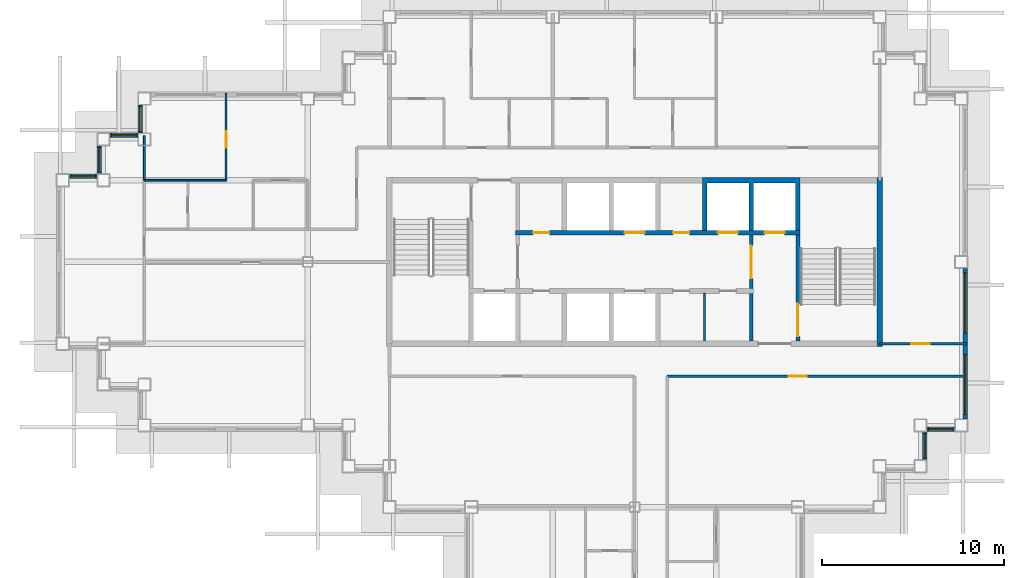
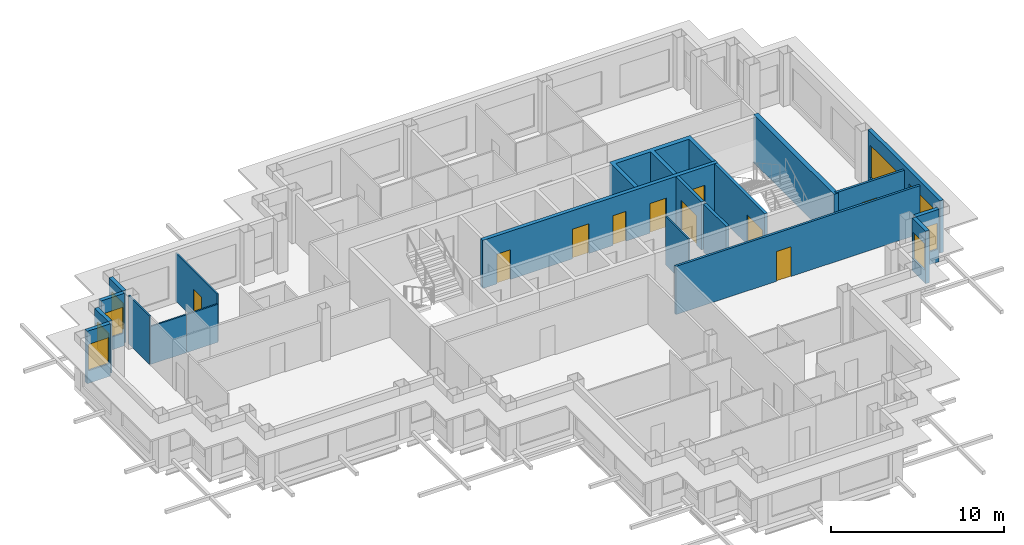
# One storey, part 5 of 12: 20 walls, 10 doors, 8 windows, 18 openings.
"""IFC4 building model written with IfcOpenShell, lengths in metres."""

from ifc_helpers import new_model, si_unit, direction, frame, frame_2d, origin, place, context, subcontext, project, spatial, polyline, rectangle, outline, extrude, material, layer, layer_set, type_object, element, fill, save


model = new_model("IFC4")

# Units and contexts
model_context = context("Model", 3, precision=1e-05, world=origin(), true_north=direction((0.0, 1.0)))
body_context = subcontext(model_context, "Body", "Model", "MODEL_VIEW")
ifc_project = project(units=[si_unit("LENGTHUNIT", "METRE"), si_unit("AREAUNIT", "SQUARE_METRE"), si_unit("VOLUMEUNIT", "CUBIC_METRE"), si_unit("PLANEANGLEUNIT", "RADIAN"), si_unit("MASSUNIT", "GRAM", prefix="KILO")], contexts=[model_context])

# Site, building, storey
site_placement = place(None, origin())
site = spatial("IfcSite", under=ifc_project, at=site_placement, CompositionType="ELEMENT")
building_placement = place(site_placement, origin())
building = spatial("IfcBuilding", under=site, at=building_placement, Name="Caravel Reach Hotel and Residences", CompositionType="ELEMENT")
storey_placement = place(building_placement, frame((0.0, 0.0, 203.5)))
storey = spatial("IfcBuildingStorey", under=building, at=storey_placement, Name="L51", CompositionType="ELEMENT", Elevation=203.5)

# Walls
ifc_material_1 = material(Name="Gypsum board on steel stud", Category="steel")
ifc_layer_1 = layer(ifc_material_1, 0.10009765625)
ifc_layer_set_1 = layer_set([ifc_layer_1], Name="Bathroom pod wall 100 mm")
wall_type_1 = type_object("IfcWallType", Name="Bathroom pod wall 100 mm", PredefinedType="PARTITIONING", material=ifc_layer_set_1)
wall_1_placement = place(storey_placement, frame((4.5, 31.5, 0.0), z_axis=(0.0, 0.0, 1.0), x_axis=(1.0, 0.0, 0.0)))
element("IfcWall", 1, at=wall_1_placement, inside=storey, type_object=wall_type_1, Name="L51 wall w067", PredefinedType="PARTITIONING", context=body_context, shape_type="SweptSolid", body=[
    extrude(rectangle(XDim=2.39990234375, YDim=0.10009765625, at=frame_2d((1.199951171875, 0.0))), origin(), (0.0, 0.0, 1.0), 2.679931640625),
])
ifc_material_2 = material(Name="Autoclaved aerated block wall")
ifc_layer_2 = layer(ifc_material_2, 0.199951171875)
ifc_layer_set_2 = layer_set([ifc_layer_2], Name="Compartment wall 200 mm EI 120")
wall_type_2 = type_object("IfcWallType", Name="Compartment wall 200 mm EI 120", PredefinedType="PARTITIONING", material=ifc_layer_set_2)
wall_2_placement = place(storey_placement, frame((37.928466796875, 22.64990234375, 0.0), z_axis=(0.0, 0.0, 1.0), x_axis=(0.0, 1.0, 0.0)))
element("IfcWall", 2, at=wall_2_placement, inside=storey, type_object=wall_type_2, Name="L51 store partition", PredefinedType="PARTITIONING", context=body_context, shape_type="SweptSolid", body=[
    extrude(rectangle(XDim=2.625, YDim=0.199951171875, at=frame_2d((1.3125, 0.0))), origin(), (0.0, 0.0, 1.0), 3.39990234375),
])
ifc_material_3 = material(Name="Concrete C60", Category="concrete")
ifc_layer_3 = layer(ifc_material_3, 0.300048828125)
ifc_layer_set_3 = layer_set([ifc_layer_3], Name="Core wall 300 mm EI 120")
wall_type_3 = type_object("IfcWallType", Name="Core wall 300 mm EI 120", PredefinedType="SHEAR", material=ifc_layer_set_3)
wall_3_placement = place(storey_placement, frame((45.0, 22.35009765625, 0.0), z_axis=(0.0, 0.0, 1.0), x_axis=(0.0, 1.0, 0.0)))
element("IfcWall", 3, at=wall_3_placement, inside=storey, type_object=wall_type_3, Name="L51 core wall E", PredefinedType="SHEAR", context=body_context, shape_type="SweptSolid", body=[
    extrude(rectangle(XDim=9.2998046875, YDim=0.300048828125, at=frame_2d((4.64990234375, 0.0))), origin(), (0.0, 0.0, 1.0), 3.39990234375),
])

# Wall, opening, door
ifc_material_4 = material(Name="Gypsum board on steel stud, fire-rated", Category="steel")
ifc_layer_4 = layer(ifc_material_4, 0.14990234375)
ifc_layer_set_4 = layer_set([ifc_layer_4], Name="Corridor wall 150 mm EI 60")
wall_type_4 = type_object("IfcWallType", Name="Corridor wall 150 mm EI 60", PredefinedType="PARTITIONING", material=ifc_layer_set_4)
wall_4_placement = place(storey_placement, frame((33.301025390625, 20.699951171875, 0.0), z_axis=(0.0, 0.0, 1.0), x_axis=(1.0, 0.0, 0.0)))
wall_4 = element("IfcWall", 4, at=wall_4_placement, inside=storey, type_object=wall_type_4, Name="L51 wall w001", PredefinedType="PARTITIONING", context=body_context, shape_type="SweptSolid", body=[
    extrude(rectangle(XDim=16.299072265625, YDim=0.14990234375, at=frame_2d((8.1494140625, 0.0))), origin(), (0.0, 0.0, 1.0), 3.39990234375),
])
opening_1_placement = place(wall_4_placement, frame((6.697998046875, 0.0, 0.0)))
opening_1 = element("IfcOpeningElement", 5, at=opening_1_placement, cuts=wall_4, Name="Opening D51-032", PredefinedType="OPENING", context=body_context, shape_type="SweptSolid", body=[
    extrude(rectangle(XDim=1.0, YDim=2.10009765625, at=frame_2d((0.5, 1.050048828125))), frame((0.0, 0.0849609375, 0.0), z_axis=(0.0, -1.0, 0.0), x_axis=(1.0, 0.0, 0.0)), (0.0, 0.0, 1.0), 0.169921875),
])
ifc_material_5 = material(Name="Steel fire door leaf", Category="steel")
door_type_1 = type_object("IfcDoorType", Name="Fire door 1000 x 2100 EI 60", OperationType="SINGLE_SWING_LEFT", PredefinedType="DOOR", material=ifc_material_5)
door_1_placement = place(opening_1_placement, origin())
door_1 = element("IfcDoor", 6, at=door_1_placement, inside=storey, type_object=door_type_1, Name="door D51-032", OperationType="SINGLE_SWING_RIGHT", OverallHeight=2.10009765625, OverallWidth=1.0, PredefinedType="DOOR", context=body_context, shape_type="SweptSolid", body=[
    extrude(rectangle(XDim=1.0, YDim=2.10009765625, at=frame_2d((0.5, 1.050048828125))), frame((0.0, 0.02490234375, 0.0), z_axis=(0.0, -1.0, 0.0), x_axis=(1.0, 0.0, 0.0)), (0.0, 0.0, 1.0), 0.050048828125),
])
fill(opening_1, door_1)

wall_5_placement = place(storey_placement, frame((45.0, 22.5, 0.0), z_axis=(0.0, 0.0, 1.0), x_axis=(1.0, 0.0, 0.0)))
wall_5 = element("IfcWall", 7, at=wall_5_placement, inside=storey, type_object=wall_type_4, Name="L51 wall w005", PredefinedType="PARTITIONING", context=body_context, shape_type="SweptSolid", body=[
    extrude(rectangle(XDim=4.7900390625, YDim=0.14990234375, at=frame_2d((2.39501953125, 0.0))), origin(), (0.0, 0.0, 1.0), 3.39990234375),
])
opening_2_placement = place(wall_5_placement, frame((1.75, 0.0, 0.0)))
opening_2 = element("IfcOpeningElement", 8, at=opening_2_placement, cuts=wall_5, Name="Opening D51-042", PredefinedType="OPENING", context=body_context, shape_type="SweptSolid", body=[
    extrude(rectangle(XDim=1.0, YDim=2.10009765625, at=frame_2d((0.5, 1.050048828125))), frame((0.0, 0.0849609375, 0.0), z_axis=(0.0, -1.0, 0.0), x_axis=(1.0, 0.0, 0.0)), (0.0, 0.0, 1.0), 0.169921875),
])
door_2_placement = place(opening_2_placement, origin())
door_2 = element("IfcDoor", 9, at=door_2_placement, inside=storey, type_object=door_type_1, Name="door D51-042", OperationType="SINGLE_SWING_RIGHT", OverallHeight=2.10009765625, OverallWidth=1.0, PredefinedType="DOOR", context=body_context, shape_type="SweptSolid", body=[
    extrude(rectangle(XDim=1.0, YDim=2.10009765625, at=frame_2d((0.5, 1.050048828125))), frame((0.0, 0.02490234375, 0.0), z_axis=(0.0, -1.0, 0.0), x_axis=(1.0, 0.0, 0.0)), (0.0, 0.0, 1.0), 0.050048828125),
])
fill(opening_2, door_2)

# Wall, opening, window
ifc_material_6 = material(Name="Insulated rainscreen wall, aluminium cladding", Category="aluminium")
ifc_layer_5 = layer(ifc_material_6, 0.25)
ifc_layer_set_5 = layer_set([ifc_layer_5], Name="EW1 Tower rainscreen wall")
wall_type_5 = type_object("IfcWallType", Name="EW1 Tower rainscreen wall", PredefinedType="SOLIDWALL", material=ifc_layer_set_5)
wall_6_placement = place(storey_placement, frame((47.47509765625, 16.10009765625, 0.0), z_axis=(0.0, 0.0, 1.0), x_axis=(0.0, 1.0, 0.0)))
wall_6 = element("IfcWall", 10, at=wall_6_placement, inside=storey, type_object=wall_type_5, Name="External wall L51 E4.1", PredefinedType="SOLIDWALL", context=body_context, shape_type="SweptSolid", body=[
    extrude(rectangle(XDim=1.5498046875, YDim=0.25, at=frame_2d((0.77490234375, 0.0))), origin(), (0.0, 0.0, 1.0), 3.699951171875),
])
opening_3_placement = place(wall_6_placement, frame((0.10009765625, 0.0, 0.89990234375)))
opening_3 = element("IfcOpeningElement", 11, at=opening_3_placement, cuts=wall_6, Name="Opening WN21", PredefinedType="OPENING", context=body_context, shape_type="SweptSolid", body=[
    extrude(rectangle(XDim=1.35009765625, YDim=1.85009765625, at=frame_2d((0.675048828125, 0.925048828125))), frame((0.0, 0.135009765625, 0.0), z_axis=(0.0, -1.0, 0.0), x_axis=(1.0, 0.0, 0.0)), (0.0, 0.0, 1.0), 0.27001953125),
])
ifc_material_7 = material(Name="Dark low-e glazing in black aluminium frame", Category="aluminium")
window_type_1 = type_object("IfcWindowType", Name="Residence bedroom window 1350 x 1850", PartitioningType="SINGLE_PANEL", PredefinedType="WINDOW", material=ifc_material_7)
window_1_placement = place(opening_3_placement, origin())
window_1 = element("IfcWindow", 12, at=window_1_placement, inside=storey, type_object=window_type_1, Name="Window L51 E4.1.1", OverallHeight=1.85009765625, OverallWidth=1.35009765625, PartitioningType="SINGLE_PANEL", PredefinedType="WINDOW", context=body_context, shape_type="SweptSolid", body=[
    extrude(rectangle(XDim=1.35009765625, YDim=1.85009765625, at=frame_2d((0.675048828125, 0.925048828125))), frame((0.0, 0.030029296875, 0.0), z_axis=(0.0, -1.0, 0.0), x_axis=(1.0, 0.0, 0.0)), (0.0, 0.0, 1.0), 0.06005859375),
])
fill(opening_3, window_1)

wall_7_placement = place(storey_placement, frame((47.60009765625, 17.77490234375, 0.0), z_axis=(0.0, 0.0, 1.0), x_axis=(1.0, 0.0, 0.0)))
wall_7 = element("IfcWall", 13, at=wall_7_placement, inside=storey, type_object=wall_type_5, Name="External wall L51 S5.1", PredefinedType="SOLIDWALL", context=body_context, shape_type="SweptSolid", body=[
    extrude(rectangle(XDim=1.5498046875, YDim=0.25, at=frame_2d((0.77490234375, 0.0))), origin(), (0.0, 0.0, 1.0), 3.699951171875),
])
opening_4_placement = place(wall_7_placement, frame((0.10009765625, 0.0, 0.89990234375)))
opening_4 = element("IfcOpeningElement", 14, at=opening_4_placement, cuts=wall_7, Name="Opening WN21", PredefinedType="OPENING", context=body_context, shape_type="SweptSolid", body=[
    extrude(rectangle(XDim=1.35009765625, YDim=1.85009765625, at=frame_2d((0.675048828125, 0.925048828125))), frame((0.0, 0.135009765625, 0.0), z_axis=(0.0, -1.0, 0.0), x_axis=(1.0, 0.0, 0.0)), (0.0, 0.0, 1.0), 0.27001953125),
])
window_2_placement = place(opening_4_placement, origin())
window_2 = element("IfcWindow", 15, at=window_2_placement, inside=storey, type_object=window_type_1, Name="Window L51 S5.1.1", OverallHeight=1.85009765625, OverallWidth=1.35009765625, PartitioningType="SINGLE_PANEL", PredefinedType="WINDOW", context=body_context, shape_type="SweptSolid", body=[
    extrude(rectangle(XDim=1.35009765625, YDim=1.85009765625, at=frame_2d((0.675048828125, 0.925048828125))), frame((0.0, 0.030029296875, 0.0), z_axis=(0.0, -1.0, 0.0), x_axis=(1.0, 0.0, 0.0)), (0.0, 0.0, 1.0), 0.06005859375),
])
fill(opening_4, window_2)

# Wall, openings, windows
wall_8_placement = place(storey_placement, frame((49.72509765625, 18.35009765625, 0.0), z_axis=(0.0, 0.0, 1.0), x_axis=(0.0, 1.0, 0.0)))
wall_8 = element("IfcWall", 16, at=wall_8_placement, inside=storey, type_object=wall_type_5, Name="External wall L51 E6.1", PredefinedType="SOLIDWALL", context=body_context, shape_type="SweptSolid", body=[
    extrude(rectangle(XDim=8.2998046875, YDim=0.25, at=frame_2d((4.14990234375, 0.0))), origin(), (0.0, 0.0, 1.0), 3.699951171875),
])
opening_5_placement = place(wall_8_placement, frame((0.25, 0.0, 0.449951171875)))
opening_5 = element("IfcOpeningElement", 17, at=opening_5_placement, cuts=wall_8, Name="Opening WN15", PredefinedType="OPENING", context=body_context, shape_type="SweptSolid", body=[
    extrude(rectangle(XDim=3.300048828125, YDim=2.300048828125, at=frame_2d((1.64990234375, 1.14990234375))), frame((0.0, 0.135009765625, 0.0), z_axis=(0.0, -1.0, 0.0), x_axis=(1.0, 0.0, 0.0)), (0.0, 0.0, 1.0), 0.27001953125),
])
opening_6_placement = place(wall_8_placement, frame((4.75, 0.0, 0.449951171875)))
opening_6 = element("IfcOpeningElement", 18, at=opening_6_placement, cuts=wall_8, Name="Opening WN15", PredefinedType="OPENING", context=body_context, shape_type="SweptSolid", body=[
    extrude(rectangle(XDim=3.300048828125, YDim=2.300048828125, at=frame_2d((1.64990234375, 1.14990234375))), frame((0.0, 0.135009765625, 0.0), z_axis=(0.0, -1.0, 0.0), x_axis=(1.0, 0.0, 0.0)), (0.0, 0.0, 1.0), 0.27001953125),
])
ifc_material_8 = material(Name="Dark low-e glazing in black aluminium frame", Category="aluminium")
window_type_2 = type_object("IfcWindowType", Name="Residence living window 3300 x 2300", PartitioningType="SINGLE_PANEL", PredefinedType="WINDOW", material=ifc_material_8)
window_3_placement = place(opening_5_placement, origin())
window_3 = element("IfcWindow", 19, at=window_3_placement, inside=storey, type_object=window_type_2, Name="Window L51 E6.1.1", OverallHeight=2.300048828125, OverallWidth=3.300048828125, PartitioningType="SINGLE_PANEL", PredefinedType="WINDOW", context=body_context, shape_type="SweptSolid", body=[
    extrude(rectangle(XDim=3.300048828125, YDim=2.300048828125, at=frame_2d((1.64990234375, 1.14990234375))), frame((0.0, 0.030029296875, 0.0), z_axis=(0.0, -1.0, 0.0), x_axis=(1.0, 0.0, 0.0)), (0.0, 0.0, 1.0), 0.06005859375),
])
fill(opening_5, window_3)
window_4_placement = place(opening_6_placement, origin())
window_4 = element("IfcWindow", 20, at=window_4_placement, inside=storey, type_object=window_type_2, Name="Window L51 E6.1.2", OverallHeight=2.300048828125, OverallWidth=3.300048828125, PartitioningType="SINGLE_PANEL", PredefinedType="WINDOW", context=body_context, shape_type="SweptSolid", body=[
    extrude(rectangle(XDim=3.300048828125, YDim=2.300048828125, at=frame_2d((1.64990234375, 1.14990234375))), frame((0.0, 0.030029296875, 0.0), z_axis=(0.0, -1.0, 0.0), x_axis=(1.0, 0.0, 0.0)), (0.0, 0.0, 1.0), 0.06005859375),
])
fill(opening_6, window_4)

# Wall, opening, window
wall_9_placement = place(storey_placement, frame((4.27490234375, 35.64990234375, 0.0), z_axis=(0.0, 0.0, 1.0), x_axis=(0.0, -1.0, 0.0)))
wall_9 = element("IfcWall", 21, at=wall_9_placement, inside=storey, type_object=wall_type_5, Name="External wall L51 W16.1", PredefinedType="SOLIDWALL", context=body_context, shape_type="SweptSolid", body=[
    extrude(rectangle(XDim=1.5498046875, YDim=0.25, at=frame_2d((0.77490234375, 0.0))), origin(), (0.0, 0.0, 1.0), 3.699951171875),
])
opening_7_placement = place(wall_9_placement, frame((0.10009765625, 0.0, 0.89990234375)))
opening_7 = element("IfcOpeningElement", 22, at=opening_7_placement, cuts=wall_9, Name="Opening WN21", PredefinedType="OPENING", context=body_context, shape_type="SweptSolid", body=[
    extrude(rectangle(XDim=1.35009765625, YDim=1.85009765625, at=frame_2d((0.675048828125, 0.925048828125))), frame((0.0, 0.135009765625, 0.0), z_axis=(0.0, -1.0, 0.0), x_axis=(1.0, 0.0, 0.0)), (0.0, 0.0, 1.0), 0.27001953125),
])
window_5_placement = place(opening_7_placement, origin())
window_5 = element("IfcWindow", 23, at=window_5_placement, inside=storey, type_object=window_type_1, Name="Window L51 W16.1.1", OverallHeight=1.85009765625, OverallWidth=1.35009765625, PartitioningType="SINGLE_PANEL", PredefinedType="WINDOW", context=body_context, shape_type="SweptSolid", body=[
    extrude(rectangle(XDim=1.35009765625, YDim=1.85009765625, at=frame_2d((0.675048828125, 0.925048828125))), frame((0.0, 0.030029296875, 0.0), z_axis=(0.0, -1.0, 0.0), x_axis=(1.0, 0.0, 0.0)), (0.0, 0.0, 1.0), 0.06005859375),
])
fill(opening_7, window_5)

wall_10_placement = place(storey_placement, frame((4.14990234375, 33.97509765625, 0.0), z_axis=(0.0, 0.0, 1.0), x_axis=(-1.0, 0.0, 0.0)))
wall_10 = element("IfcWall", 24, at=wall_10_placement, inside=storey, type_object=wall_type_5, Name="External wall L51 N17.1", PredefinedType="SOLIDWALL", context=body_context, shape_type="SweptSolid", body=[
    extrude(rectangle(XDim=1.5498046875, YDim=0.25, at=frame_2d((0.77490234375, 0.0))), origin(), (0.0, 0.0, 1.0), 3.699951171875),
])
opening_8_placement = place(wall_10_placement, frame((0.10009765625, 0.0, 0.89990234375)))
opening_8 = element("IfcOpeningElement", 25, at=opening_8_placement, cuts=wall_10, Name="Opening WN21", PredefinedType="OPENING", context=body_context, shape_type="SweptSolid", body=[
    extrude(rectangle(XDim=1.35009765625, YDim=1.85009765625, at=frame_2d((0.675048828125, 0.925048828125))), frame((0.0, 0.135009765625, 0.0), z_axis=(0.0, -1.0, 0.0), x_axis=(1.0, 0.0, 0.0)), (0.0, 0.0, 1.0), 0.27001953125),
])
window_6_placement = place(opening_8_placement, origin())
window_6 = element("IfcWindow", 26, at=window_6_placement, inside=storey, type_object=window_type_1, Name="Window L51 N17.1.1", OverallHeight=1.85009765625, OverallWidth=1.35009765625, PartitioningType="SINGLE_PANEL", PredefinedType="WINDOW", context=body_context, shape_type="SweptSolid", body=[
    extrude(rectangle(XDim=1.35009765625, YDim=1.85009765625, at=frame_2d((0.675048828125, 0.925048828125))), frame((0.0, 0.030029296875, 0.0), z_axis=(0.0, -1.0, 0.0), x_axis=(1.0, 0.0, 0.0)), (0.0, 0.0, 1.0), 0.06005859375),
])
fill(opening_8, window_6)

wall_11_placement = place(storey_placement, frame((2.02490234375, 33.39990234375, 0.0), z_axis=(0.0, 0.0, 1.0), x_axis=(0.0, -1.0, 0.0)))
wall_11 = element("IfcWall", 27, at=wall_11_placement, inside=storey, type_object=wall_type_5, Name="External wall L51 W18.1", PredefinedType="SOLIDWALL", context=body_context, shape_type="SweptSolid", body=[
    extrude(rectangle(XDim=1.5498046875, YDim=0.25, at=frame_2d((0.77490234375, 0.0))), origin(), (0.0, 0.0, 1.0), 3.699951171875),
])
opening_9_placement = place(wall_11_placement, frame((0.10009765625, 0.0, 0.89990234375)))
opening_9 = element("IfcOpeningElement", 28, at=opening_9_placement, cuts=wall_11, Name="Opening WN21", PredefinedType="OPENING", context=body_context, shape_type="SweptSolid", body=[
    extrude(rectangle(XDim=1.35009765625, YDim=1.85009765625, at=frame_2d((0.675048828125, 0.925048828125))), frame((0.0, 0.135009765625, 0.0), z_axis=(0.0, -1.0, 0.0), x_axis=(1.0, 0.0, 0.0)), (0.0, 0.0, 1.0), 0.27001953125),
])
window_7_placement = place(opening_9_placement, origin())
window_7 = element("IfcWindow", 29, at=window_7_placement, inside=storey, type_object=window_type_1, Name="Window L51 W18.1.1", OverallHeight=1.85009765625, OverallWidth=1.35009765625, PartitioningType="SINGLE_PANEL", PredefinedType="WINDOW", context=body_context, shape_type="SweptSolid", body=[
    extrude(rectangle(XDim=1.35009765625, YDim=1.85009765625, at=frame_2d((0.675048828125, 0.925048828125))), frame((0.0, 0.030029296875, 0.0), z_axis=(0.0, -1.0, 0.0), x_axis=(1.0, 0.0, 0.0)), (0.0, 0.0, 1.0), 0.06005859375),
])
fill(opening_9, window_7)

wall_12_placement = place(storey_placement, frame((1.89990234375, 31.72509765625, 0.0), z_axis=(0.0, 0.0, 1.0), x_axis=(-1.0, 0.0, 0.0)))
wall_12 = element("IfcWall", 30, at=wall_12_placement, inside=storey, type_object=wall_type_5, Name="External wall L51 N19.1", PredefinedType="SOLIDWALL", context=body_context, shape_type="SweptSolid", body=[
    extrude(rectangle(XDim=1.5498046875, YDim=0.25, at=frame_2d((0.77490234375, 0.0))), origin(), (0.0, 0.0, 1.0), 3.699951171875),
])
opening_10_placement = place(wall_12_placement, frame((0.10009765625, 0.0, 0.89990234375)))
opening_10 = element("IfcOpeningElement", 31, at=opening_10_placement, cuts=wall_12, Name="Opening WN21", PredefinedType="OPENING", context=body_context, shape_type="SweptSolid", body=[
    extrude(rectangle(XDim=1.35009765625, YDim=1.85009765625, at=frame_2d((0.675048828125, 0.925048828125))), frame((0.0, 0.135009765625, 0.0), z_axis=(0.0, -1.0, 0.0), x_axis=(1.0, 0.0, 0.0)), (0.0, 0.0, 1.0), 0.27001953125),
])
window_8_placement = place(opening_10_placement, origin())
window_8 = element("IfcWindow", 32, at=window_8_placement, inside=storey, type_object=window_type_1, Name="Window L51 N19.1.1", OverallHeight=1.85009765625, OverallWidth=1.35009765625, PartitioningType="SINGLE_PANEL", PredefinedType="WINDOW", context=body_context, shape_type="SweptSolid", body=[
    extrude(rectangle(XDim=1.35009765625, YDim=1.85009765625, at=frame_2d((0.675048828125, 0.925048828125))), frame((0.0, 0.030029296875, 0.0), z_axis=(0.0, -1.0, 0.0), x_axis=(1.0, 0.0, 0.0)), (0.0, 0.0, 1.0), 0.06005859375),
])
fill(opening_10, window_8)

# Wall, opening, door
ifc_material_9 = material(Name="Autoclaved aerated block wall")
ifc_layer_6 = layer(ifc_material_9, 0.199951171875)
ifc_layer_set_6 = layer_set([ifc_layer_6], Name="Fire lobby wall 200 mm EI 120")
wall_type_6 = type_object("IfcWallType", Name="Fire lobby wall 200 mm EI 120", PredefinedType="PARTITIONING", material=ifc_layer_set_6)
wall_13_placement = place(storey_placement, frame((37.928466796875, 25.52490234375, 0.0), z_axis=(0.0, 0.0, 1.0), x_axis=(0.0, 1.0, 0.0)))
wall_13 = element("IfcWall", 33, at=wall_13_placement, inside=storey, type_object=wall_type_6, Name="L51 lobby E wall", PredefinedType="PARTITIONING", context=body_context, shape_type="SweptSolid", body=[
    extrude(rectangle(XDim=2.9501953125, YDim=0.199951171875, at=frame_2d((1.47509765625, 0.0))), origin(), (0.0, 0.0, 1.0), 3.39990234375),
])
opening_11_placement = place(wall_13_placement, frame((0.574951171875, 0.0, 0.0)))
opening_11 = element("IfcOpeningElement", 34, at=opening_11_placement, cuts=wall_13, Name="Opening D51-014", PredefinedType="OPENING", context=body_context, shape_type="SweptSolid", body=[
    extrude(rectangle(XDim=1.800048828125, YDim=2.10009765625, at=frame_2d((0.89990234375, 1.050048828125))), frame((0.0, 0.10986328125, 0.0), z_axis=(0.0, -1.0, 0.0), x_axis=(1.0, 0.0, 0.0)), (0.0, 0.0, 1.0), 0.219970703125),
])
ifc_material_10 = material(Name="Steel fire door leaf", Category="steel")
door_type_2 = type_object("IfcDoorType", Name="Fire lobby door pair 1800 x 2100 EI 90", OperationType="DOUBLE_DOOR_SINGLE_SWING", PredefinedType="DOOR", material=ifc_material_10)
door_3_placement = place(opening_11_placement, origin())
door_3 = element("IfcDoor", 35, at=door_3_placement, inside=storey, type_object=door_type_2, Name="lobby E door pair", OperationType="DOUBLE_DOOR_SINGLE_SWING", OverallHeight=2.10009765625, OverallWidth=1.800048828125, PredefinedType="DOOR", context=body_context, shape_type="SweptSolid", body=[
    extrude(rectangle(XDim=1.800048828125, YDim=2.10009765625, at=frame_2d((0.89990234375, 1.050048828125))), frame((0.0, 0.02490234375, 0.0), z_axis=(0.0, -1.0, 0.0), x_axis=(1.0, 0.0, 0.0)), (0.0, 0.0, 1.0), 0.050048828125),
])
fill(opening_11, door_3)

# Walls
ifc_material_11 = material(Name="Gypsum board on steel stud", Category="steel")
ifc_layer_7 = layer(ifc_material_11, 0.10009765625)
ifc_layer_set_7 = layer_set([ifc_layer_7], Name="Partition 100 mm")
wall_type_7 = type_object("IfcWallType", Name="Partition 100 mm", PredefinedType="PARTITIONING", material=ifc_layer_set_7)
wall_14_placement = place(storey_placement, frame((35.357177734375, 22.64990234375, 0.0), z_axis=(0.0, 0.0, 1.0), x_axis=(0.0, 1.0, 0.0)))
element("IfcWall", 36, at=wall_14_placement, inside=storey, type_object=wall_type_7, Name="L51 store partition", PredefinedType="PARTITIONING", context=body_context, shape_type="SweptSolid", body=[
    extrude(rectangle(XDim=2.625, YDim=0.10009765625, at=frame_2d((1.3125, 0.0))), origin(), (0.0, 0.0, 1.0), 3.39990234375),
])
wall_15_placement = place(storey_placement, frame((6.89990234375, 31.5, 0.0), z_axis=(0.0, 0.0, 1.0), x_axis=(1.0, 0.0, 0.0)))
element("IfcWall", 37, at=wall_15_placement, inside=storey, type_object=wall_type_7, Name="L51 wall w032", PredefinedType="PARTITIONING", context=body_context, shape_type="SweptSolid", body=[
    extrude(rectangle(XDim=2.10009765625, YDim=0.10009765625, at=frame_2d((1.050048828125, 0.0))), origin(), (0.0, 0.0, 1.0), 2.679931640625),
])
wall_16_placement = place(storey_placement, frame((4.5, 31.5009765625, 0.0), z_axis=(0.0, 0.0, 1.0), x_axis=(0.0, 1.0, 0.0)))
element("IfcWall", 38, at=wall_16_placement, inside=storey, type_object=wall_type_7, Name="L51 wall w057", PredefinedType="PARTITIONING", context=body_context, shape_type="SweptSolid", body=[
    extrude(rectangle(XDim=2.43896484375, YDim=0.10009765625, at=frame_2d((1.219482421875, 0.0))), origin(), (0.0, 0.0, 1.0), 3.39990234375),
])

# Wall, opening, door
wall_17_placement = place(storey_placement, frame((9.0, 31.5, 0.0), z_axis=(0.0, 0.0, 1.0), x_axis=(0.0, 1.0, 0.0)))
wall_17 = element("IfcWall", 39, at=wall_17_placement, inside=storey, type_object=wall_type_7, Name="L51 wall w060", PredefinedType="PARTITIONING", context=body_context, shape_type="SweptSolid", body=[
    extrude(rectangle(XDim=4.7900390625, YDim=0.10009765625, at=frame_2d((2.39501953125, 0.0))), origin(), (0.0, 0.0, 1.0), 3.39990234375),
])
opening_12_placement = place(wall_17_placement, frame((1.800048828125, 0.0, 0.0)))
opening_12 = element("IfcOpeningElement", 40, at=opening_12_placement, cuts=wall_17, Name="Opening D51-029", PredefinedType="OPENING", context=body_context, shape_type="SweptSolid", body=[
    extrude(rectangle(XDim=0.89990234375, YDim=2.10009765625, at=frame_2d((0.449951171875, 1.050048828125))), frame((0.0, 0.06005859375, 0.0), z_axis=(0.0, -1.0, 0.0), x_axis=(1.0, 0.0, 0.0)), (0.0, 0.0, 1.0), 0.1201171875),
])
ifc_material_12 = material(Name="Timber and steel door leaf", Category="steel")
door_type_3 = type_object("IfcDoorType", Name="Door 900 x 2100 timber", OperationType="SINGLE_SWING_LEFT", PredefinedType="DOOR", material=ifc_material_12)
door_4_placement = place(opening_12_placement, origin())
door_4 = element("IfcDoor", 41, at=door_4_placement, inside=storey, type_object=door_type_3, Name="door D51-029", OperationType="SINGLE_SWING_RIGHT", OverallHeight=2.10009765625, OverallWidth=0.89990234375, PredefinedType="DOOR", context=body_context, shape_type="SweptSolid", body=[
    extrude(rectangle(XDim=0.89990234375, YDim=2.10009765625, at=frame_2d((0.449951171875, 1.050048828125))), frame((0.0, 0.02490234375, 0.0), z_axis=(0.0, -1.0, 0.0), x_axis=(1.0, 0.0, 0.0)), (0.0, 0.0, 1.0), 0.050048828125),
])
fill(opening_12, door_4)

# Wall
ifc_material_13 = material(Name="Concrete C60", Category="concrete")
ifc_layer_8 = layer(ifc_material_13, 0.25)
ifc_layer_set_8 = layer_set([ifc_layer_8], Name="Shaft wall 250 mm EI 120")
wall_type_8 = type_object("IfcWallType", Name="Shaft wall 250 mm EI 120", PredefinedType="SHEAR", material=ifc_layer_set_8)
wall_18_placement = place(storey_placement, origin())
element("IfcWall", 42, at=wall_18_placement, inside=storey, type_object=wall_type_8, Name="L51 lift shaft wall N2", PredefinedType="SHEAR", context=body_context, shape_type="SweptSolid", body=[
    extrude(outline(polyline([(35.232177734375, 28.72509765625), (35.482177734375, 28.72509765625), (35.482177734375, 31.35009765625), (37.803466796875, 31.35009765625), (37.803466796875, 28.72509765625), (38.053466796875, 28.72509765625), (38.053466796875, 31.35009765625), (40.375, 31.35009765625), (40.375, 28.72509765625), (40.625, 28.72509765625), (40.625, 31.64990234375), (35.232177734375, 31.64990234375), (35.232177734375, 28.72509765625)])), origin(), (0.0, 0.0, 1.0), 3.39990234375),
])

# Wall, openings, doors
wall_19_placement = place(storey_placement, frame((24.946533203125, 28.60009765625, 0.0), z_axis=(0.0, 0.0, 1.0), x_axis=(1.0, 0.0, 0.0)))
wall_19 = element("IfcWall", 43, at=wall_19_placement, inside=storey, type_object=wall_type_8, Name="L51 lobby wall N1", PredefinedType="SHEAR", context=body_context, shape_type="SweptSolid", body=[
    extrude(rectangle(XDim=15.678466796875, YDim=0.25, at=frame_2d((7.83935546875, 0.0))), origin(), (0.0, 0.0, 1.0), 3.39990234375),
])
opening_13_placement = place(wall_19_placement, frame((6.003662109375, 0.0, 0.0)))
opening_13 = element("IfcOpeningElement", 44, at=opening_13_placement, cuts=wall_19, Name="Opening D51-002", PredefinedType="OPENING", context=body_context, shape_type="SweptSolid", body=[
    extrude(rectangle(XDim=1.10009765625, YDim=2.10009765625, at=frame_2d((0.550048828125, 1.050048828125))), frame((0.0, 0.135009765625, 0.0), z_axis=(0.0, -1.0, 0.0), x_axis=(1.0, 0.0, 0.0)), (0.0, 0.0, 1.0), 0.27001953125),
])
opening_14_placement = place(wall_19_placement, frame((11.146484375, 0.0, 0.0)))
opening_14 = element("IfcOpeningElement", 45, at=opening_14_placement, cuts=wall_19, Name="Opening D51-003", PredefinedType="OPENING", context=body_context, shape_type="SweptSolid", body=[
    extrude(rectangle(XDim=1.10009765625, YDim=2.10009765625, at=frame_2d((0.550048828125, 1.050048828125))), frame((0.0, 0.135009765625, 0.0), z_axis=(0.0, -1.0, 0.0), x_axis=(1.0, 0.0, 0.0)), (0.0, 0.0, 1.0), 0.27001953125),
])
opening_15_placement = place(wall_19_placement, frame((13.718017578125, 0.0, 0.0)))
opening_15 = element("IfcOpeningElement", 46, at=opening_15_placement, cuts=wall_19, Name="Opening D51-005", PredefinedType="OPENING", context=body_context, shape_type="SweptSolid", body=[
    extrude(rectangle(XDim=1.10009765625, YDim=2.10009765625, at=frame_2d((0.550048828125, 1.050048828125))), frame((0.0, 0.135009765625, 0.0), z_axis=(0.0, -1.0, 0.0), x_axis=(1.0, 0.0, 0.0)), (0.0, 0.0, 1.0), 0.27001953125),
])
opening_16_placement = place(wall_19_placement, frame((0.960693359375, 0.0, 0.0)))
opening_16 = element("IfcOpeningElement", 47, at=opening_16_placement, cuts=wall_19, Name="Opening D51-009", PredefinedType="OPENING", context=body_context, shape_type="SweptSolid", body=[
    extrude(rectangle(XDim=0.89990234375, YDim=2.10009765625, at=frame_2d((0.449951171875, 1.050048828125))), frame((0.0, 0.135009765625, 0.0), z_axis=(0.0, -1.0, 0.0), x_axis=(1.0, 0.0, 0.0)), (0.0, 0.0, 1.0), 0.27001953125),
])
opening_17_placement = place(wall_19_placement, frame((8.675048828125, 0.0, 0.0)))
opening_17 = element("IfcOpeningElement", 48, at=opening_17_placement, cuts=wall_19, Name="Opening D51-010", PredefinedType="OPENING", context=body_context, shape_type="SweptSolid", body=[
    extrude(rectangle(XDim=0.89990234375, YDim=2.10009765625, at=frame_2d((0.449951171875, 1.050048828125))), frame((0.0, 0.135009765625, 0.0), z_axis=(0.0, -1.0, 0.0), x_axis=(1.0, 0.0, 0.0)), (0.0, 0.0, 1.0), 0.27001953125),
])
ifc_material_14 = material(Name="Stainless steel landing door", Category="steel")
door_type_4 = type_object("IfcDoorType", Name="Landing door LD 1100 x 2100 sliding", OperationType="DOUBLE_DOOR_SLIDING", PredefinedType="DOOR", material=ifc_material_14)
door_5_placement = place(opening_13_placement, origin())
door_5 = element("IfcDoor", 49, at=door_5_placement, inside=storey, type_object=door_type_4, Name="MP2 landing door", OperationType="DOUBLE_DOOR_SLIDING", OverallHeight=2.10009765625, OverallWidth=1.10009765625, PredefinedType="DOOR", context=body_context, shape_type="SweptSolid", body=[
    extrude(rectangle(XDim=1.10009765625, YDim=2.10009765625, at=frame_2d((0.550048828125, 1.050048828125))), frame((0.0, 0.02490234375, 0.0), z_axis=(0.0, -1.0, 0.0), x_axis=(1.0, 0.0, 0.0)), (0.0, 0.0, 1.0), 0.050048828125),
])
fill(opening_13, door_5)
door_6_placement = place(opening_14_placement, origin())
door_6 = element("IfcDoor", 50, at=door_6_placement, inside=storey, type_object=door_type_4, Name="MP3 landing door", OperationType="DOUBLE_DOOR_SLIDING", OverallHeight=2.10009765625, OverallWidth=1.10009765625, PredefinedType="DOOR", context=body_context, shape_type="SweptSolid", body=[
    extrude(rectangle(XDim=1.10009765625, YDim=2.10009765625, at=frame_2d((0.550048828125, 1.050048828125))), frame((0.0, 0.02490234375, 0.0), z_axis=(0.0, -1.0, 0.0), x_axis=(1.0, 0.0, 0.0)), (0.0, 0.0, 1.0), 0.050048828125),
])
fill(opening_14, door_6)
door_7_placement = place(opening_15_placement, origin())
door_7 = element("IfcDoor", 51, at=door_7_placement, inside=storey, type_object=door_type_4, Name="FL2 landing door", OperationType="DOUBLE_DOOR_SLIDING", OverallHeight=2.10009765625, OverallWidth=1.10009765625, PredefinedType="DOOR", context=body_context, shape_type="SweptSolid", body=[
    extrude(rectangle(XDim=1.10009765625, YDim=2.10009765625, at=frame_2d((0.550048828125, 1.050048828125))), frame((0.0, 0.02490234375, 0.0), z_axis=(0.0, -1.0, 0.0), x_axis=(1.0, 0.0, 0.0)), (0.0, 0.0, 1.0), 0.050048828125),
])
fill(opening_15, door_7)
ifc_material_15 = material(Name="Steel fire door leaf", Category="steel")
door_type_5 = type_object("IfcDoorType", Name="Riser door 900 x 2100 EI 60", OperationType="SINGLE_SWING_LEFT", PredefinedType="DOOR", material=ifc_material_15)
door_8_placement = place(opening_16_placement, origin())
door_8 = element("IfcDoor", 52, at=door_8_placement, inside=storey, type_object=door_type_5, Name="Cleaners' room door", OperationType="SINGLE_SWING_LEFT", OverallHeight=2.10009765625, OverallWidth=0.89990234375, PredefinedType="DOOR", context=body_context, shape_type="SweptSolid", body=[
    extrude(rectangle(XDim=0.89990234375, YDim=2.10009765625, at=frame_2d((0.449951171875, 1.050048828125))), frame((0.0, 0.02490234375, 0.0), z_axis=(0.0, -1.0, 0.0), x_axis=(1.0, 0.0, 0.0)), (0.0, 0.0, 1.0), 0.050048828125),
])
fill(opening_16, door_8)
door_9_placement = place(opening_17_placement, origin())
door_9 = element("IfcDoor", 53, at=door_9_placement, inside=storey, type_object=door_type_5, Name="Electrical riser room door", OperationType="SINGLE_SWING_LEFT", OverallHeight=2.10009765625, OverallWidth=0.89990234375, PredefinedType="DOOR", context=body_context, shape_type="SweptSolid", body=[
    extrude(rectangle(XDim=0.89990234375, YDim=2.10009765625, at=frame_2d((0.449951171875, 1.050048828125))), frame((0.0, 0.02490234375, 0.0), z_axis=(0.0, -1.0, 0.0), x_axis=(1.0, 0.0, 0.0)), (0.0, 0.0, 1.0), 0.050048828125),
])
fill(opening_17, door_9)

# Wall, opening, door
ifc_material_16 = material(Name="Concrete C60", Category="concrete")
ifc_layer_9 = layer(ifc_material_16, 0.199951171875)
ifc_layer_set_9 = layer_set([ifc_layer_9], Name="Stair enclosure wall 200 mm EI 120")
wall_type_9 = type_object("IfcWallType", Name="Stair enclosure wall 200 mm EI 120", PredefinedType="SHEAR", material=ifc_layer_set_9)
wall_20_placement = place(storey_placement, frame((40.5, 22.64990234375, 0.0), z_axis=(0.0, 0.0, 1.0), x_axis=(0.0, 1.0, 0.0)))
wall_20 = element("IfcWall", 54, at=wall_20_placement, inside=storey, type_object=wall_type_9, Name="L51 stair B wall", PredefinedType="SHEAR", context=body_context, shape_type="SweptSolid", body=[
    extrude(rectangle(XDim=5.8251953125, YDim=0.199951171875, at=frame_2d((2.91259765625, 0.0))), origin(), (0.0, 0.0, 1.0), 3.39990234375),
])
opening_18_placement = place(wall_20_placement, frame((0.25, 0.0, 0.0)))
opening_18 = element("IfcOpeningElement", 55, at=opening_18_placement, cuts=wall_20, Name="Opening D51-012", PredefinedType="OPENING", context=body_context, shape_type="SweptSolid", body=[
    extrude(rectangle(XDim=1.800048828125, YDim=2.10009765625, at=frame_2d((0.89990234375, 1.050048828125))), frame((0.0, 0.10986328125, 0.0), z_axis=(0.0, -1.0, 0.0), x_axis=(1.0, 0.0, 0.0)), (0.0, 0.0, 1.0), 0.219970703125),
])
ifc_material_17 = material(Name="Steel fire door leaf", Category="steel")
door_type_6 = type_object("IfcDoorType", Name="Stair door pair 1800 x 2100 EI 90", OperationType="DOUBLE_DOOR_SINGLE_SWING", PredefinedType="DOOR", material=ifc_material_17)
door_10_placement = place(opening_18_placement, origin())
door_10 = element("IfcDoor", 56, at=door_10_placement, inside=storey, type_object=door_type_6, Name="stair B door pair", OperationType="DOUBLE_DOOR_SINGLE_SWING", OverallHeight=2.10009765625, OverallWidth=1.800048828125, PredefinedType="DOOR", context=body_context, shape_type="SweptSolid", body=[
    extrude(rectangle(XDim=1.800048828125, YDim=2.10009765625, at=frame_2d((0.89990234375, 1.050048828125))), frame((0.0, 0.02490234375, 0.0), z_axis=(0.0, -1.0, 0.0), x_axis=(1.0, 0.0, 0.0)), (0.0, 0.0, 1.0), 0.050048828125),
])
fill(opening_18, door_10)

save(model, "model.ifc")
